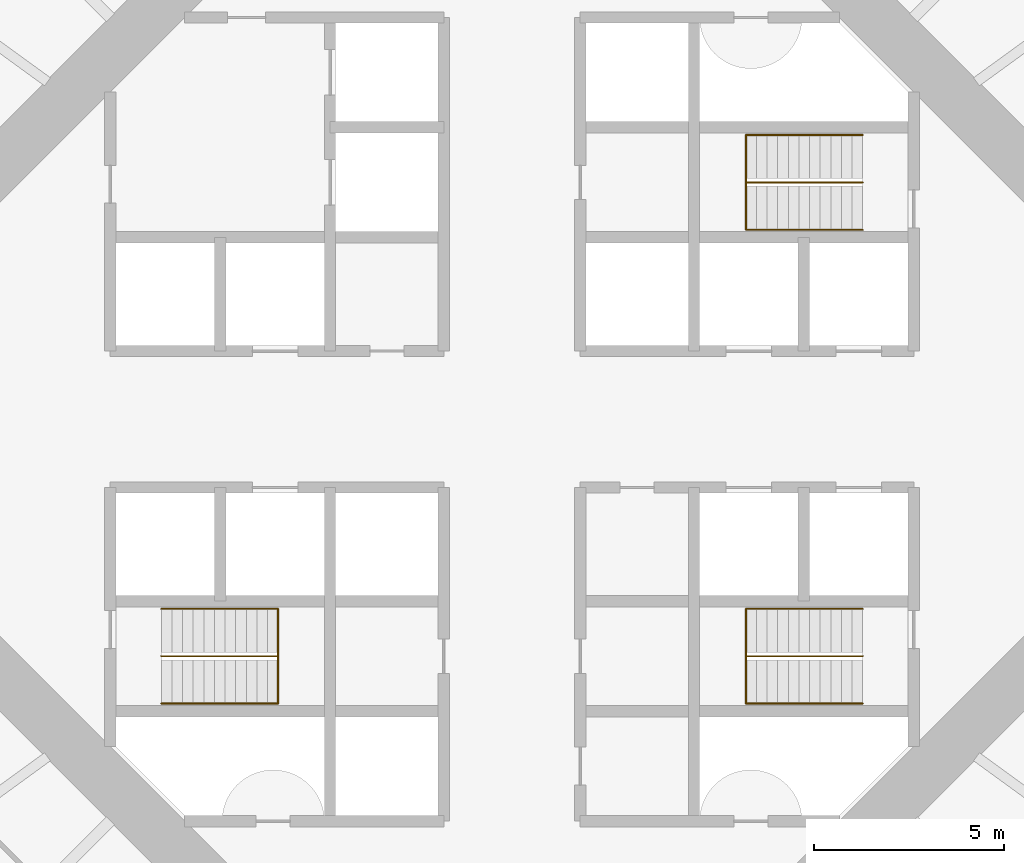
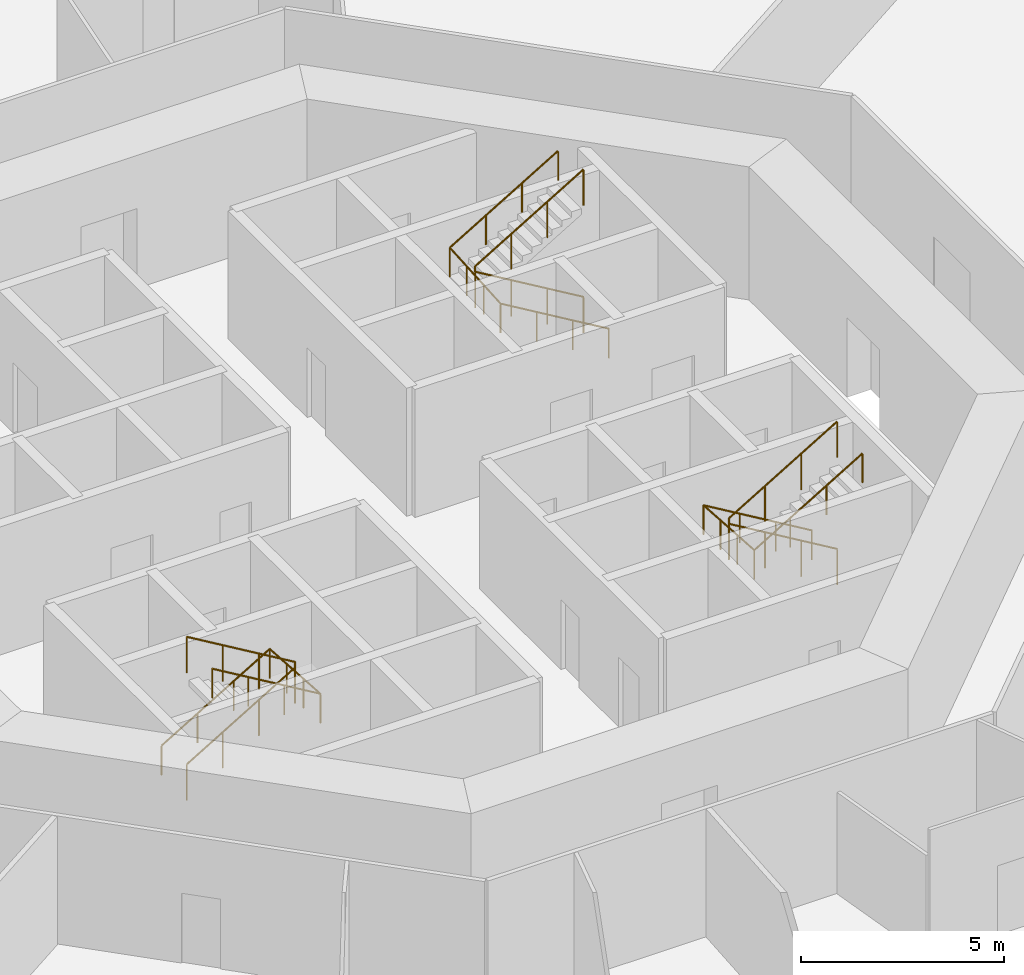
# One storey, part 13 of 13: 6 railings.
"""IFC4 building model written with IfcOpenShell, lengths in metres."""

from ifc_helpers import new_model, si_unit, direction, frame, origin, origin_2d, place, context, subcontext, project, spatial, circle, extrude, material, type_object, element, save


model = new_model("IFC4")

# Units and contexts
model_context = context("Model", 3, precision=1e-05, world=origin(), true_north=direction((0.0, 1.0)))
body_context = subcontext(model_context, "Body", "Model", "MODEL_VIEW")
ifc_project = project(units=[si_unit("LENGTHUNIT", "METRE"), si_unit("AREAUNIT", "SQUARE_METRE"), si_unit("VOLUMEUNIT", "CUBIC_METRE"), si_unit("PLANEANGLEUNIT", "RADIAN"), si_unit("MASSUNIT", "GRAM", prefix="KILO")], contexts=[model_context])

# Site, building, storey
site_placement = place(None, origin())
site = spatial("IfcSite", under=ifc_project, at=site_placement, CompositionType="ELEMENT")
building_placement = place(site_placement, origin())
building = spatial("IfcBuilding", under=site, at=building_placement, Name="Entoto Ring Tower", CompositionType="ELEMENT")
storey_placement = place(building_placement, frame((0.0, 0.0, 38.0)))
storey = spatial("IfcBuildingStorey", under=building, at=storey_placement, Name="L07", CompositionType="ELEMENT", Elevation=38.0)

# Railings
ifc_material_1 = material(Name="Steel S275", Category="steel")
railing_type_1 = type_object("IfcRailingType", Name="Stair guard 1100 mm steel", PredefinedType="GUARDRAIL", material=ifc_material_1)
railing_1_placement = place(storey_placement, frame((99.25, 86.25, 0.166748046875)))
element("IfcRailing", 1, at=railing_1_placement, inside=storey, type_object=railing_type_1, Name="Guard ST1", PredefinedType="GUARDRAIL", context=body_context, shape_type="SweptSolid", body=[
    extrude(circle(Radius=0.02392578125, at=origin_2d()), frame((0.0, 0.0, 1.076171875), z_axis=(-0.859308565015, 0.0, 0.511457515432), x_axis=(0.0, -1.0, 0.0)), (0.0, 0.0, 1.0), 3.58447265625),
    extrude(circle(Radius=0.02392578125, at=origin_2d()), frame((-3.080078125, 0.0, 2.9091796875), z_axis=(0.0, 0.0, 1.0), x_axis=(1.0, 0.0, 0.0)), (0.0, 0.0, 1.0), 0.166748046875),
    extrude(circle(Radius=0.02392578125, at=origin_2d()), frame((-3.080078125, 0.0, 3.076171875), z_axis=(0.859308565015, 0.0, 0.511457515432), x_axis=(0.0, 1.0, 0.0)), (0.0, 0.0, 1.0), 3.58447265625),
    extrude(circle(Radius=0.02099609375, at=origin_2d()), origin(), (0.0, 0.0, 1.0), 1.052001953125),
    extrude(circle(Radius=0.02099609375, at=origin_2d()), frame((-1.026611328125, 0.0, 0.611083984375)), (0.0, 0.0, 1.0), 1.052001953125),
    extrude(circle(Radius=0.02099609375, at=origin_2d()), frame((-2.053466796875, 0.0, 1.22216796875)), (0.0, 0.0, 1.0), 1.052001953125),
    extrude(circle(Radius=0.02099609375, at=origin_2d()), frame((-3.080078125, 0.0, 1.833251953125)), (0.0, 0.0, 1.0), 1.052001953125),
    extrude(circle(Radius=0.02099609375, at=origin_2d()), frame((-3.080078125, 0.0, 2.0)), (0.0, 0.0, 1.0), 1.052001953125),
    extrude(circle(Radius=0.02099609375, at=origin_2d()), frame((-2.053466796875, 0.0, 2.611083984375)), (0.0, 0.0, 1.0), 1.052001953125),
    extrude(circle(Radius=0.02099609375, at=origin_2d()), frame((-1.026611328125, 0.0, 3.22216796875)), (0.0, 0.0, 1.0), 1.052001953125),
    extrude(circle(Radius=0.02099609375, at=origin_2d()), frame((0.0, 0.0, 3.833251953125)), (0.0, 0.0, 1.0), 1.052001953125),
])
railing_2_placement = place(storey_placement, frame((80.75, 73.75, 0.166748046875)))
element("IfcRailing", 2, at=railing_2_placement, inside=storey, type_object=railing_type_1, Name="Guard ST2", PredefinedType="GUARDRAIL", context=body_context, shape_type="SweptSolid", body=[
    extrude(circle(Radius=0.02392578125, at=origin_2d()), frame((0.0, 0.0, 1.076171875), z_axis=(0.859308565015, 0.0, 0.511457515432), x_axis=(0.0, 1.0, 0.0)), (0.0, 0.0, 1.0), 3.58447265625),
    extrude(circle(Radius=0.02392578125, at=origin_2d()), frame((3.080078125, 0.0, 2.9091796875), z_axis=(0.0, 0.0, 1.0), x_axis=(1.0, 0.0, 0.0)), (0.0, 0.0, 1.0), 0.166748046875),
    extrude(circle(Radius=0.02392578125, at=origin_2d()), frame((3.080078125, 0.0, 3.076171875), z_axis=(-0.859308565015, 0.0, 0.511457515432), x_axis=(0.0, -1.0, 0.0)), (0.0, 0.0, 1.0), 3.58447265625),
    extrude(circle(Radius=0.02099609375, at=origin_2d()), origin(), (0.0, 0.0, 1.0), 1.052001953125),
    extrude(circle(Radius=0.02099609375, at=origin_2d()), frame((1.026611328125, 0.0, 0.611083984375)), (0.0, 0.0, 1.0), 1.052001953125),
    extrude(circle(Radius=0.02099609375, at=origin_2d()), frame((2.053466796875, 0.0, 1.22216796875)), (0.0, 0.0, 1.0), 1.052001953125),
    extrude(circle(Radius=0.02099609375, at=origin_2d()), frame((3.080078125, 0.0, 1.833251953125)), (0.0, 0.0, 1.0), 1.052001953125),
    extrude(circle(Radius=0.02099609375, at=origin_2d()), frame((3.080078125, 0.0, 2.0)), (0.0, 0.0, 1.0), 1.052001953125),
    extrude(circle(Radius=0.02099609375, at=origin_2d()), frame((2.053466796875, 0.0, 2.611083984375)), (0.0, 0.0, 1.0), 1.052001953125),
    extrude(circle(Radius=0.02099609375, at=origin_2d()), frame((1.026611328125, 0.0, 3.22216796875)), (0.0, 0.0, 1.0), 1.052001953125),
    extrude(circle(Radius=0.02099609375, at=origin_2d()), frame((0.0, 0.0, 3.833251953125)), (0.0, 0.0, 1.0), 1.052001953125),
])
railing_3_placement = place(storey_placement, frame((99.25, 73.75, 0.166748046875)))
element("IfcRailing", 3, at=railing_3_placement, inside=storey, type_object=railing_type_1, Name="Guard ST3", PredefinedType="GUARDRAIL", context=body_context, shape_type="SweptSolid", body=[
    extrude(circle(Radius=0.02392578125, at=origin_2d()), frame((0.0, 0.0, 1.076171875), z_axis=(-0.859308565015, 0.0, 0.511457515432), x_axis=(0.0, -1.0, 0.0)), (0.0, 0.0, 1.0), 3.58447265625),
    extrude(circle(Radius=0.02392578125, at=origin_2d()), frame((-3.080078125, 0.0, 2.9091796875), z_axis=(0.0, 0.0, 1.0), x_axis=(1.0, 0.0, 0.0)), (0.0, 0.0, 1.0), 0.166748046875),
    extrude(circle(Radius=0.02392578125, at=origin_2d()), frame((-3.080078125, 0.0, 3.076171875), z_axis=(0.859308565015, 0.0, 0.511457515432), x_axis=(0.0, 1.0, 0.0)), (0.0, 0.0, 1.0), 3.58447265625),
    extrude(circle(Radius=0.02099609375, at=origin_2d()), origin(), (0.0, 0.0, 1.0), 1.052001953125),
    extrude(circle(Radius=0.02099609375, at=origin_2d()), frame((-1.026611328125, 0.0, 0.611083984375)), (0.0, 0.0, 1.0), 1.052001953125),
    extrude(circle(Radius=0.02099609375, at=origin_2d()), frame((-2.053466796875, 0.0, 1.22216796875)), (0.0, 0.0, 1.0), 1.052001953125),
    extrude(circle(Radius=0.02099609375, at=origin_2d()), frame((-3.080078125, 0.0, 1.833251953125)), (0.0, 0.0, 1.0), 1.052001953125),
    extrude(circle(Radius=0.02099609375, at=origin_2d()), frame((-3.080078125, 0.0, 2.0)), (0.0, 0.0, 1.0), 1.052001953125),
    extrude(circle(Radius=0.02099609375, at=origin_2d()), frame((-2.053466796875, 0.0, 2.611083984375)), (0.0, 0.0, 1.0), 1.052001953125),
    extrude(circle(Radius=0.02099609375, at=origin_2d()), frame((-1.026611328125, 0.0, 3.22216796875)), (0.0, 0.0, 1.0), 1.052001953125),
    extrude(circle(Radius=0.02099609375, at=origin_2d()), frame((0.0, 0.0, 3.833251953125)), (0.0, 0.0, 1.0), 1.052001953125),
])
ifc_material_2 = material(Name="Steel S275", Category="steel")
railing_type_2 = type_object("IfcRailingType", Name="Stair handrail 900 mm steel", PredefinedType="HANDRAIL", material=ifc_material_2)
railing_4_placement = place(storey_placement, frame((99.25, 85.0, 0.166748046875)))
element("IfcRailing", 4, at=railing_4_placement, inside=storey, type_object=railing_type_2, Name="Handrail ST1", PredefinedType="HANDRAIL", context=body_context, shape_type="SweptSolid", body=[
    extrude(circle(Radius=0.02392578125, at=origin_2d()), frame((0.0, 0.0, 0.8759765625), z_axis=(-0.859308565015, 0.0, 0.511457515432), x_axis=(0.0, -1.0, 0.0)), (0.0, 0.0, 1.0), 3.58447265625),
    extrude(circle(Radius=0.02392578125, at=origin_2d()), frame((-3.080078125, 0.0, 2.708984375), z_axis=(0.0, 0.997783001586, 0.066551346688), x_axis=(-1.0, 0.0, 0.0)), (0.0, 0.0, 1.0), 2.505615234375),
    extrude(circle(Radius=0.02392578125, at=origin_2d()), frame((-3.080078125, 2.5, 2.8759765625), z_axis=(0.859308565015, 0.0, 0.511457515432), x_axis=(0.0, 1.0, 0.0)), (0.0, 0.0, 1.0), 3.58447265625),
    extrude(circle(Radius=0.02099609375, at=origin_2d()), origin(), (0.0, 0.0, 1.0), 0.851806640625),
    extrude(circle(Radius=0.02099609375, at=origin_2d()), frame((-1.026611328125, 0.0, 0.611083984375)), (0.0, 0.0, 1.0), 0.851806640625),
    extrude(circle(Radius=0.02099609375, at=origin_2d()), frame((-2.053466796875, 0.0, 1.22216796875)), (0.0, 0.0, 1.0), 0.851806640625),
    extrude(circle(Radius=0.02099609375, at=origin_2d()), frame((-3.080078125, 0.0, 1.833251953125)), (0.0, 0.0, 1.0), 0.851806640625),
    extrude(circle(Radius=0.02099609375, at=origin_2d()), frame((-3.080078125, 0.833251953125, 1.888916015625)), (0.0, 0.0, 1.0), 0.851806640625),
    extrude(circle(Radius=0.02099609375, at=origin_2d()), frame((-3.080078125, 1.666748046875, 1.9443359375)), (0.0, 0.0, 1.0), 0.851806640625),
    extrude(circle(Radius=0.02099609375, at=origin_2d()), frame((-3.080078125, 2.5, 2.0)), (0.0, 0.0, 1.0), 0.851806640625),
    extrude(circle(Radius=0.02099609375, at=origin_2d()), frame((-2.053466796875, 2.5, 2.611083984375)), (0.0, 0.0, 1.0), 0.851806640625),
    extrude(circle(Radius=0.02099609375, at=origin_2d()), frame((-1.026611328125, 2.5, 3.22216796875)), (0.0, 0.0, 1.0), 0.851806640625),
    extrude(circle(Radius=0.02099609375, at=origin_2d()), frame((0.0, 2.5, 3.833251953125)), (0.0, 0.0, 1.0), 0.851806640625),
])
railing_5_placement = place(storey_placement, frame((80.75, 75.0, 0.166748046875)))
element("IfcRailing", 5, at=railing_5_placement, inside=storey, type_object=railing_type_2, Name="Handrail ST2", PredefinedType="HANDRAIL", context=body_context, shape_type="SweptSolid", body=[
    extrude(circle(Radius=0.02392578125, at=origin_2d()), frame((0.0, 0.0, 0.8759765625), z_axis=(0.859308565015, 0.0, 0.511457515432), x_axis=(0.0, 1.0, 0.0)), (0.0, 0.0, 1.0), 3.58447265625),
    extrude(circle(Radius=0.02392578125, at=origin_2d()), frame((3.080078125, 0.0, 2.708984375), z_axis=(0.0, -0.997783001586, 0.066551346688), x_axis=(1.0, 0.0, 0.0)), (0.0, 0.0, 1.0), 2.505615234375),
    extrude(circle(Radius=0.02392578125, at=origin_2d()), frame((3.080078125, -2.5, 2.8759765625), z_axis=(-0.859308565015, 0.0, 0.511457515432), x_axis=(0.0, -1.0, 0.0)), (0.0, 0.0, 1.0), 3.58447265625),
    extrude(circle(Radius=0.02099609375, at=origin_2d()), origin(), (0.0, 0.0, 1.0), 0.851806640625),
    extrude(circle(Radius=0.02099609375, at=origin_2d()), frame((1.026611328125, 0.0, 0.611083984375)), (0.0, 0.0, 1.0), 0.851806640625),
    extrude(circle(Radius=0.02099609375, at=origin_2d()), frame((2.053466796875, 0.0, 1.22216796875)), (0.0, 0.0, 1.0), 0.851806640625),
    extrude(circle(Radius=0.02099609375, at=origin_2d()), frame((3.080078125, 0.0, 1.833251953125)), (0.0, 0.0, 1.0), 0.851806640625),
    extrude(circle(Radius=0.02099609375, at=origin_2d()), frame((3.080078125, -0.833251953125, 1.888916015625)), (0.0, 0.0, 1.0), 0.851806640625),
    extrude(circle(Radius=0.02099609375, at=origin_2d()), frame((3.080078125, -1.666748046875, 1.9443359375)), (0.0, 0.0, 1.0), 0.851806640625),
    extrude(circle(Radius=0.02099609375, at=origin_2d()), frame((3.080078125, -2.5, 2.0)), (0.0, 0.0, 1.0), 0.851806640625),
    extrude(circle(Radius=0.02099609375, at=origin_2d()), frame((2.053466796875, -2.5, 2.611083984375)), (0.0, 0.0, 1.0), 0.851806640625),
    extrude(circle(Radius=0.02099609375, at=origin_2d()), frame((1.026611328125, -2.5, 3.22216796875)), (0.0, 0.0, 1.0), 0.851806640625),
    extrude(circle(Radius=0.02099609375, at=origin_2d()), frame((0.0, -2.5, 3.833251953125)), (0.0, 0.0, 1.0), 0.851806640625),
])
railing_6_placement = place(storey_placement, frame((99.25, 75.0, 0.166748046875)))
element("IfcRailing", 6, at=railing_6_placement, inside=storey, type_object=railing_type_2, Name="Handrail ST3", PredefinedType="HANDRAIL", context=body_context, shape_type="SweptSolid", body=[
    extrude(circle(Radius=0.02392578125, at=origin_2d()), frame((0.0, 0.0, 0.8759765625), z_axis=(-0.859308565015, 0.0, 0.511457515432), x_axis=(0.0, -1.0, 0.0)), (0.0, 0.0, 1.0), 3.58447265625),
    extrude(circle(Radius=0.02392578125, at=origin_2d()), frame((-3.080078125, 0.0, 2.708984375), z_axis=(0.0, -0.997783001586, 0.066551346688), x_axis=(1.0, 0.0, 0.0)), (0.0, 0.0, 1.0), 2.505615234375),
    extrude(circle(Radius=0.02392578125, at=origin_2d()), frame((-3.080078125, -2.5, 2.8759765625), z_axis=(0.859308565015, 0.0, 0.511457515432), x_axis=(0.0, 1.0, 0.0)), (0.0, 0.0, 1.0), 3.58447265625),
    extrude(circle(Radius=0.02099609375, at=origin_2d()), origin(), (0.0, 0.0, 1.0), 0.851806640625),
    extrude(circle(Radius=0.02099609375, at=origin_2d()), frame((-1.026611328125, 0.0, 0.611083984375)), (0.0, 0.0, 1.0), 0.851806640625),
    extrude(circle(Radius=0.02099609375, at=origin_2d()), frame((-2.053466796875, 0.0, 1.22216796875)), (0.0, 0.0, 1.0), 0.851806640625),
    extrude(circle(Radius=0.02099609375, at=origin_2d()), frame((-3.080078125, 0.0, 1.833251953125)), (0.0, 0.0, 1.0), 0.851806640625),
    extrude(circle(Radius=0.02099609375, at=origin_2d()), frame((-3.080078125, -0.833251953125, 1.888916015625)), (0.0, 0.0, 1.0), 0.851806640625),
    extrude(circle(Radius=0.02099609375, at=origin_2d()), frame((-3.080078125, -1.666748046875, 1.9443359375)), (0.0, 0.0, 1.0), 0.851806640625),
    extrude(circle(Radius=0.02099609375, at=origin_2d()), frame((-3.080078125, -2.5, 2.0)), (0.0, 0.0, 1.0), 0.851806640625),
    extrude(circle(Radius=0.02099609375, at=origin_2d()), frame((-2.053466796875, -2.5, 2.611083984375)), (0.0, 0.0, 1.0), 0.851806640625),
    extrude(circle(Radius=0.02099609375, at=origin_2d()), frame((-1.026611328125, -2.5, 3.22216796875)), (0.0, 0.0, 1.0), 0.851806640625),
    extrude(circle(Radius=0.02099609375, at=origin_2d()), frame((0.0, -2.5, 3.833251953125)), (0.0, 0.0, 1.0), 0.851806640625),
])

save(model, "model.ifc")
